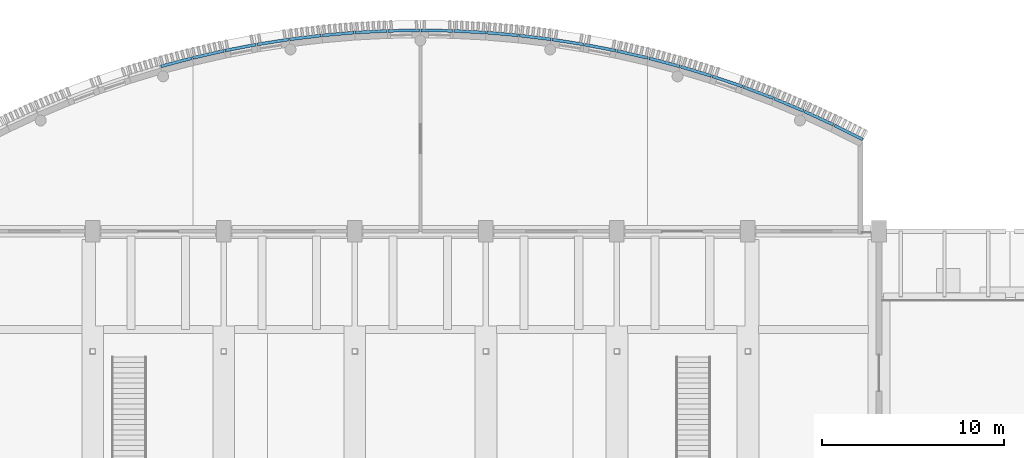
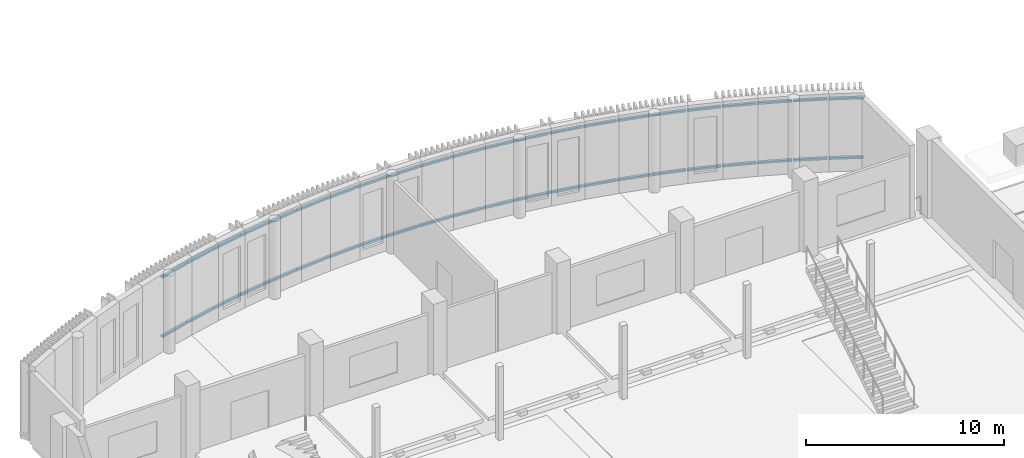
# One storey, part 66 of 82: 44 discrete accessories.
"""IFC4 building model written with IfcOpenShell, lengths in metres."""

from ifc_helpers import new_model, si_unit, direction, frame, origin, place, context, subcontext, project, spatial, rectangle, extrude, material, type_object, element, save


model = new_model("IFC4")

# Units and contexts
model_context = context("Model", 3, precision=1e-05, world=origin(), true_north=direction((0.0, 1.0)))
body_context = subcontext(model_context, "Body", "Model", "MODEL_VIEW")
ifc_project = project(units=[si_unit("LENGTHUNIT", "METRE"), si_unit("AREAUNIT", "SQUARE_METRE"), si_unit("VOLUMEUNIT", "CUBIC_METRE"), si_unit("PLANEANGLEUNIT", "RADIAN"), si_unit("MASSUNIT", "GRAM", prefix="KILO")], contexts=[model_context])

# Site, building, storey
site_placement = place(None, origin())
site = spatial("IfcSite", under=ifc_project, at=site_placement, CompositionType="ELEMENT")
building_placement = place(site_placement, origin())
building = spatial("IfcBuilding", under=site, at=building_placement, Name="Sardonyx Promenade Sports Hall", CompositionType="ELEMENT")
storey_placement = place(building_placement, frame((0.0, 0.0, 11.199951171875)))
storey = spatial("IfcBuildingStorey", under=building, at=storey_placement, Name="L02", CompositionType="ELEMENT", Elevation=11.199951171875)

# Discrete accessories
ifc_material = material(Name="Steel S355JR", Category="steel")
discrete_accessory_type = type_object("IfcDiscreteAccessoryType", Name="Acc_Bracket_S355", PredefinedType="BRACKET", material=ifc_material)
for number, where, z_axis, x_axis, name in (
    (1, (40.590875, 113.681672, 0.510049), (0.0, 0.0, 1.0), (0.96648549, 0.25672123, 0.0), "Facade outrigger bracket CH07 L02 #1"),
    (2, (40.590875, 113.681672, 4.170049), (0.0, 0.0, 1.0), (0.96648549, 0.25672123, 0.0), "Facade outrigger bracket CH07 L02 #2"),
    (3, (42.346089, 114.11552, 0.510049), (0.0, 0.0, 1.0), (0.97479158, 0.22311741, 0.0), "Facade outrigger bracket CH08 L02 #1"),
    (4, (42.346089, 114.11552, 4.170049), (0.0, 0.0, 1.0), (0.97479158, 0.22311741, 0.0), "Facade outrigger bracket CH08 L02 #2"),
    (5, (44.115267, 114.488361, 0.510049), (0.0, 0.0, 1.0), (0.98192966, 0.18924626, 0.0), "Facade outrigger bracket CH09 L02 #1"),
    (6, (44.115267, 114.488361, 4.170049), (0.0, 0.0, 1.0), (0.98192966, 0.18924626, 0.0), "Facade outrigger bracket CH09 L02 #2"),
    (7, (45.89629, 114.799746, 0.510049), (0.0, 0.0, 1.0), (0.98789118, 0.15514835, 0.0), "Facade outrigger bracket CH10 L02 #1"),
    (8, (45.89629, 114.799746, 4.170049), (0.0, 0.0, 1.0), (0.98789118, 0.15514835, 0.0), "Facade outrigger bracket CH10 L02 #2"),
    (9, (47.687023, 115.049303, 0.510049), (0.0, 0.0, 1.0), (0.99266922, 0.1208628, 0.0), "Facade outrigger bracket CH11 L02 #1"),
    (10, (47.687023, 115.049303, 4.170049), (0.0, 0.0, 1.0), (0.99266922, 0.1208628, 0.0), "Facade outrigger bracket CH11 L02 #2"),
    (11, (49.48532, 115.236732, 0.510049), (0.0, 0.0, 1.0), (0.99625756, 0.08643416, 0.0), "Facade outrigger bracket CH12 L02 #1"),
    (12, (49.48532, 115.236732, 4.170049), (0.0, 0.0, 1.0), (0.99625756, 0.08643416, 0.0), "Facade outrigger bracket CH12 L02 #2"),
    (13, (51.289026, 115.361811, 0.510049), (0.0, 0.0, 1.0), (0.99865218, 0.05190196, 0.0), "Facade outrigger bracket CH13 L02 #1"),
    (14, (51.289026, 115.361811, 4.170049), (0.0, 0.0, 1.0), (0.99865218, 0.05190196, 0.0), "Facade outrigger bracket CH13 L02 #2"),
    (15, (53.095981, 115.424387, 0.510049), (0.0, 0.0, 1.0), (0.99985021, 0.01730757, 0.0), "Facade outrigger bracket CH14 L02 #1"),
    (16, (53.095981, 115.424387, 4.170049), (0.0, 0.0, 1.0), (0.99985021, 0.01730757, 0.0), "Facade outrigger bracket CH14 L02 #2"),
    (17, (54.904019, 115.424387, 0.510049), (0.0, 0.0, 1.0), (0.99985021, -0.01730757, 0.0), "Facade outrigger bracket CH15 L02 #1"),
    (18, (54.904019, 115.424387, 4.170049), (0.0, 0.0, 1.0), (0.99985021, -0.01730757, 0.0), "Facade outrigger bracket CH15 L02 #2"),
    (19, (56.710974, 115.361811, 0.510049), (0.0, 0.0, 1.0), (0.99865218, -0.05190196, 0.0), "Facade outrigger bracket CH16 L02 #1"),
    (20, (56.710974, 115.361811, 4.170049), (0.0, 0.0, 1.0), (0.99865218, -0.05190196, 0.0), "Facade outrigger bracket CH16 L02 #2"),
    (21, (58.51468, 115.236732, 0.510049), (0.0, 0.0, 1.0), (0.99625756, -0.08643416, 0.0), "Facade outrigger bracket CH17 L02 #1"),
    (22, (58.51468, 115.236732, 4.170049), (0.0, 0.0, 1.0), (0.99625756, -0.08643416, 0.0), "Facade outrigger bracket CH17 L02 #2"),
    (23, (60.312977, 115.049303, 0.510049), (0.0, 0.0, 1.0), (0.99266922, -0.1208628, 0.0), "Facade outrigger bracket CH18 L02 #1"),
    (24, (60.312977, 115.049303, 4.170049), (0.0, 0.0, 1.0), (0.99266922, -0.1208628, 0.0), "Facade outrigger bracket CH18 L02 #2"),
    (25, (62.10371, 114.799746, 0.510049), (0.0, 0.0, 1.0), (0.98789118, -0.15514835, 0.0), "Facade outrigger bracket CH19 L02 #1"),
    (26, (62.10371, 114.799746, 4.170049), (0.0, 0.0, 1.0), (0.98789118, -0.15514835, 0.0), "Facade outrigger bracket CH19 L02 #2"),
    (27, (63.884733, 114.488361, 0.510049), (0.0, 0.0, 1.0), (0.98192966, -0.18924626, 0.0), "Facade outrigger bracket CH20 L02 #1"),
    (28, (63.884733, 114.488361, 4.170049), (0.0, 0.0, 1.0), (0.98192966, -0.18924626, 0.0), "Facade outrigger bracket CH20 L02 #2"),
    (29, (65.653911, 114.11552, 0.510049), (0.0, 0.0, 1.0), (0.97479158, -0.22311741, 0.0), "Facade outrigger bracket CH21 L02 #1"),
    (30, (65.653911, 114.11552, 4.170049), (0.0, 0.0, 1.0), (0.97479158, -0.22311741, 0.0), "Facade outrigger bracket CH21 L02 #2"),
    (31, (67.409125, 113.681672, 0.510049), (0.0, 0.0, 1.0), (0.96648549, -0.25672123, 0.0), "Facade outrigger bracket CH22 L02 #1"),
    (32, (67.409125, 113.681672, 4.170049), (0.0, 0.0, 1.0), (0.96648549, -0.25672123, 0.0), "Facade outrigger bracket CH22 L02 #2"),
    (33, (69.148272, 113.187335, 0.510049), (0.0, 0.0, 1.0), (0.95702136, -0.29001744, 0.0), "Facade outrigger bracket CH23 L02 #1"),
    (34, (69.148272, 113.187335, 4.170049), (0.0, 0.0, 1.0), (0.95702136, -0.29001744, 0.0), "Facade outrigger bracket CH23 L02 #2"),
    (35, (70.869268, 112.633102, 0.510049), (0.0, 0.0, 1.0), (0.94641052, -0.32296615, 0.0), "Facade outrigger bracket CH24 L02 #1"),
    (36, (70.869268, 112.633102, 4.170049), (0.0, 0.0, 1.0), (0.94641052, -0.32296615, 0.0), "Facade outrigger bracket CH24 L02 #2"),
    (37, (72.570051, 112.019638, 0.510049), (0.0, 0.0, 1.0), (0.93466568, -0.35552787, 0.0), "Facade outrigger bracket CH25 L02 #1"),
    (38, (72.570051, 112.019638, 4.170049), (0.0, 0.0, 1.0), (0.93466568, -0.35552787, 0.0), "Facade outrigger bracket CH25 L02 #2"),
    (39, (74.248583, 111.347677, 0.510049), (0.0, 0.0, 1.0), (0.92180024, -0.38766521, 0.0), "Facade outrigger bracket CH26 L02 #1"),
    (40, (74.248583, 111.347677, 4.170049), (0.0, 0.0, 1.0), (0.92180024, -0.38766521, 0.0), "Facade outrigger bracket CH26 L02 #2"),
    (41, (75.902853, 110.618023, 0.510049), (0.0, 0.0, 1.0), (0.90783091, -0.41933642, 0.0), "Facade outrigger bracket CH27 L02 #1"),
    (42, (75.902853, 110.618023, 4.170049), (0.0, 0.0, 1.0), (0.90783091, -0.41933642, 0.0), "Facade outrigger bracket CH27 L02 #2"),
    (43, (77.530878, 109.831552, 0.510049), (0.0, 0.0, 1.0), (0.89277382, -0.45050517, 0.0), "Facade outrigger bracket CH28 L02 #1"),
    (44, (77.530878, 109.831552, 4.170049), (0.0, 0.0, 1.0), (0.89277382, -0.45050517, 0.0), "Facade outrigger bracket CH28 L02 #2"),
):
    element("IfcDiscreteAccessory", number, at=place(storey_placement, frame(where, z_axis=z_axis, x_axis=x_axis)), inside=storey, type_object=discrete_accessory_type, material=ifc_material, Name=name, PredefinedType="BRACKET", context=body_context, shape_type="SweptSolid", body=[
        extrude(rectangle(XDim=1.74, YDim=0.16), origin(), (0.0, 0.0, 1.0), 0.12),
    ])

save(model, "model.ifc")
